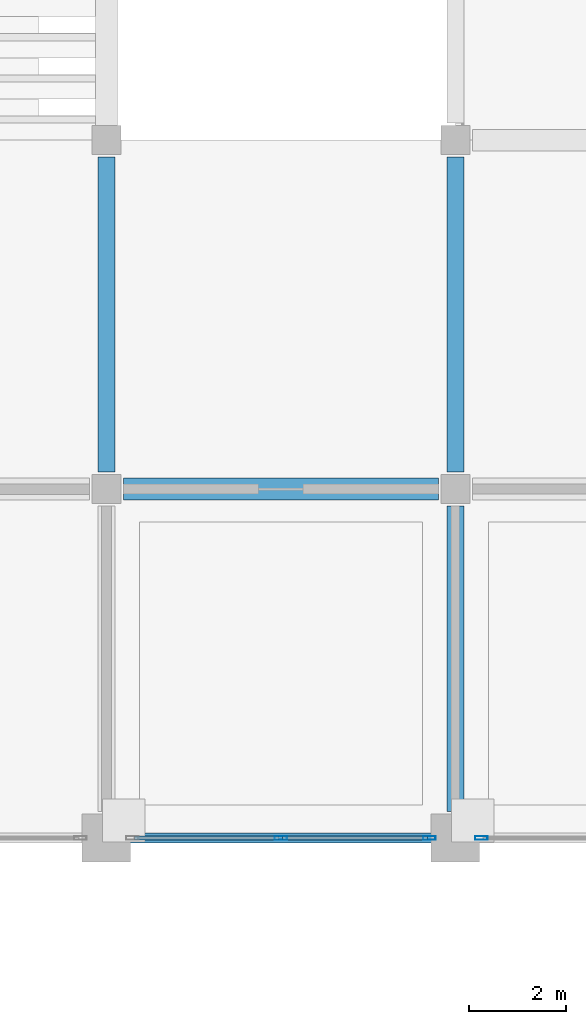
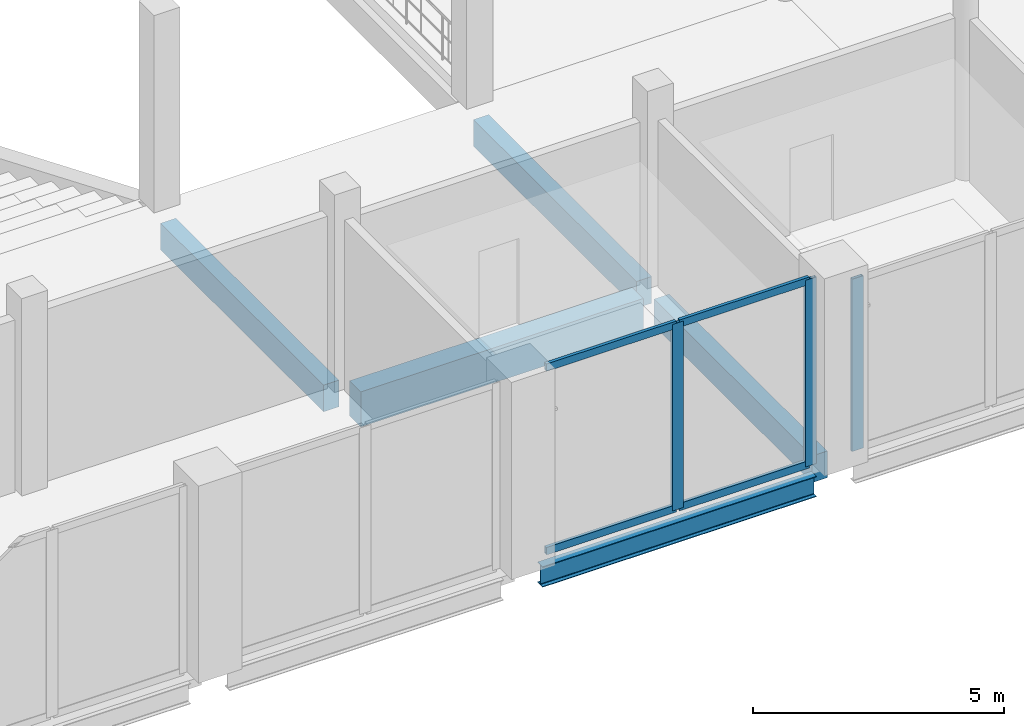
# One storey, part 15 of 99: 7 members, 5 beams, 2 elements without a shape of their own.
"""IFC4 building model written with IfcOpenShell, lengths in metres."""

from ifc_helpers import new_model, si_unit, direction, frame, origin, origin_2d, place, context, subcontext, project, spatial, rectangle, hollow_rectangle, i_section, extrude, material, material_profile, profile_set, type_object, element, aggregate, save


model = new_model("IFC4")

# Units and contexts
model_context = context("Model", 3, precision=1e-05, world=origin(), true_north=direction((0.0, 1.0)))
body_context = subcontext(model_context, "Body", "Model", "MODEL_VIEW")
ifc_project = project(units=[si_unit("LENGTHUNIT", "METRE"), si_unit("AREAUNIT", "SQUARE_METRE"), si_unit("VOLUMEUNIT", "CUBIC_METRE"), si_unit("PLANEANGLEUNIT", "RADIAN"), si_unit("MASSUNIT", "GRAM", prefix="KILO")], contexts=[model_context])

# Site, building, storey
site_placement = place(None, origin())
site = spatial("IfcSite", under=ifc_project, at=site_placement, CompositionType="ELEMENT")
building_placement = place(site_placement, origin())
building = spatial("IfcBuilding", under=site, at=building_placement, Name="Vesperath Aquatics Centre", CompositionType="ELEMENT")
storey_placement = place(building_placement, frame((0.0, 0.0, 5.39990234375)))
storey = spatial("IfcBuildingStorey", under=building, at=storey_placement, Name="L01", CompositionType="ELEMENT", Elevation=5.39990234375)

# Beams
ifc_material_1 = material(Name="Concrete C35", Category="concrete")
ifc_material_profile_1 = material_profile(ifc_material_1, rectangle(XDim=0.449951171875, YDim=0.85009765625, at=origin_2d()), Name="RC 450x850")
ifc_profile_set_1 = profile_set([ifc_material_profile_1], Name="Concrete C35")
beam_type_1 = type_object("IfcBeamType", Name="BM-G03", PredefinedType="BEAM", material=ifc_profile_set_1)
beam_1_placement = place(storey_placement, frame((86.75, 21.60009765625, -0.684814453125), z_axis=(1.0, 0.0, 0.0), x_axis=(0.0, 1.0, 0.0)))
element("IfcBeam", 1, at=beam_1_placement, inside=storey, type_object=beam_type_1, Name="Floor Girder B03 L01 D 13-14", PredefinedType="BEAM", context=body_context, shape_type="SweptSolid", body=[
    extrude(rectangle(XDim=0.449951171875, YDim=0.85009765625, at=origin_2d()), origin(), (0.0, 0.0, 1.0), 6.5),
])
ifc_material_profile_2 = material_profile(ifc_material_1, rectangle(XDim=0.35009765625, YDim=0.64990234375, at=origin_2d()), Name="RC 350x650")
ifc_profile_set_2 = profile_set([ifc_material_profile_2], Name="Concrete C35")
beam_type_2 = type_object("IfcBeamType", Name="BM-G05", PredefinedType="BEAM", material=ifc_profile_set_2)
beam_2_placement = place(storey_placement, frame((86.39990234375, 21.949951171875, -0.5849609375), z_axis=(0.0, 1.0, 0.0), x_axis=(-1.0, 0.0, 0.0)))
element("IfcBeam", 2, at=beam_2_placement, inside=storey, type_object=beam_type_2, Name="Floor Girder B05 L01 13 D-E", PredefinedType="BEAM", context=body_context, shape_type="SweptSolid", body=[
    extrude(rectangle(XDim=0.35009765625, YDim=0.64990234375, at=origin_2d()), origin(), (0.0, 0.0, 1.0), 6.5),
])
beam_3_placement = place(storey_placement, frame((93.60009765625, 14.949951171875, -0.5849609375), z_axis=(0.0, 1.0, 0.0), x_axis=(-1.0, 0.0, 0.0)))
element("IfcBeam", 3, at=beam_3_placement, inside=storey, type_object=beam_type_2, Name="Floor Girder B05 L01 14 C-D", PredefinedType="BEAM", context=body_context, shape_type="SweptSolid", body=[
    extrude(rectangle(XDim=0.35009765625, YDim=0.64990234375, at=origin_2d()), origin(), (0.0, 0.0, 1.0), 6.300048828125),
])
beam_4_placement = place(storey_placement, frame((93.60009765625, 21.949951171875, -0.5849609375), z_axis=(0.0, 1.0, 0.0), x_axis=(-1.0, 0.0, 0.0)))
element("IfcBeam", 4, at=beam_4_placement, inside=storey, type_object=beam_type_2, Name="Floor Girder B05 L01 14 D-E", PredefinedType="BEAM", context=body_context, shape_type="SweptSolid", body=[
    extrude(rectangle(XDim=0.35009765625, YDim=0.64990234375, at=origin_2d()), origin(), (0.0, 0.0, 1.0), 6.5),
])
ifc_material_2 = material(Name="Steel Q355D", Category="steel")
ifc_material_profile_3 = material_profile(ifc_material_2, i_section(OverallWidth=0.199951171875, OverallDepth=0.5, WebThickness=0.010009765625, FlangeThickness=0.01611328125, FilletRadius=0.02001953125, at=origin_2d()), Name="HN 500x200x10x16")
ifc_profile_set_3 = profile_set([ifc_material_profile_3], Name="Steel Q355D")
beam_type_3 = type_object("IfcBeamType", Name="BM-SP01", PredefinedType="SPANDREL", material=ifc_profile_set_3)
beam_5_placement = place(storey_placement, frame((86.85009765625, 14.39990234375, -0.510009765625), z_axis=(1.0, 0.0, 0.0), x_axis=(0.0, 1.0, 0.0)))
element("IfcBeam", 5, at=beam_5_placement, inside=storey, type_object=beam_type_3, Name="Floor Girder SP01 L01 C 13-14", PredefinedType="SPANDREL", context=body_context, shape_type="SweptSolid", body=[
    extrude(i_section(OverallWidth=0.199951171875, OverallDepth=0.5, WebThickness=0.010009765625, FlangeThickness=0.01611328125, FilletRadius=0.02001953125, at=origin_2d()), origin(), (0.0, 0.0, 1.0), 6.2998046875),
])

# Curtain wall, members
ifc_material_3 = material(Name="Thermally broken anodised bronze aluminium curtain wall", Category="aluminium")
curtain_wall_type = type_object("IfcCurtainWallType", Name="CW-02", PredefinedType="NOTDEFINED", material=ifc_material_3)
curtain_wall_1_placement = place(storey_placement, origin())
curtain_wall_1 = element("IfcCurtainWall", 6, at=curtain_wall_1_placement, inside=storey, type_object=curtain_wall_type, Name="Facade Curtain Wall CW02 L01_S_12_02", PredefinedType="NOTDEFINED")
ifc_material_4 = material(Name="Thermally broken anodised aluminium", Category="aluminium")
ifc_material_profile_4 = material_profile(ifc_material_4, hollow_rectangle(XDim=0.074951171875, YDim=0.260009765625, WallThickness=0.006103515625, at=origin_2d()), Name="CWM 75x260x6")
ifc_profile_set_4 = profile_set([ifc_material_profile_4], Name="Thermally broken anodised aluminium")
member_type_1 = type_object("IfcMemberType", Name="MB-CWM1", PredefinedType="MULLION", material=ifc_profile_set_4)
member_1_placement = place(storey_placement, frame((90.0, 14.39990234375, 0.0), z_axis=(0.0, 0.0, 1.0), x_axis=(0.0, 1.0, 0.0)))
member_1 = element("IfcMember", 7, at=member_1_placement, type_object=member_type_1, Name="CW02 mullion 2", PredefinedType="MULLION", context=body_context, shape_type="SweptSolid", body=[
    extrude(hollow_rectangle(XDim=0.074951171875, YDim=0.260009765625, WallThickness=0.006103515625, at=origin_2d()), origin(), (0.0, 0.0, 1.0), 4.5400390625),
])
member_2_placement = place(storey_placement, frame((93.0625, 14.39990234375, 0.0), z_axis=(0.0, 0.0, 1.0), x_axis=(0.0, 1.0, 0.0)))
member_2 = element("IfcMember", 8, at=member_2_placement, type_object=member_type_1, Name="CW02 mullion 3", PredefinedType="MULLION", context=body_context, shape_type="SweptSolid", body=[
    extrude(hollow_rectangle(XDim=0.074951171875, YDim=0.260009765625, WallThickness=0.006103515625, at=origin_2d()), origin(), (0.0, 0.0, 1.0), 4.5400390625),
])

# Curtain wall, member
curtain_wall_2_placement = place(storey_placement, origin())
curtain_wall_2 = element("IfcCurtainWall", 9, at=curtain_wall_2_placement, inside=storey, type_object=curtain_wall_type, Name="Facade Curtain Wall CW02 L01_S_13_02", PredefinedType="NOTDEFINED")
member_3_placement = place(storey_placement, frame((94.137451171875, 14.39990234375, 0.0), z_axis=(0.0, 0.0, 1.0), x_axis=(0.0, 1.0, 0.0)))
member_3 = element("IfcMember", 10, at=member_3_placement, type_object=member_type_1, Name="CW02 mullion 1", PredefinedType="MULLION", context=body_context, shape_type="SweptSolid", body=[
    extrude(hollow_rectangle(XDim=0.074951171875, YDim=0.260009765625, WallThickness=0.006103515625, at=origin_2d()), origin(), (0.0, 0.0, 1.0), 4.190185546875),
])
aggregate(curtain_wall_2, [member_3])

# Member
ifc_material_profile_5 = material_profile(ifc_material_4, hollow_rectangle(XDim=0.074951171875, YDim=0.179931640625, WallThickness=0.0048828125, at=origin_2d()), Name="CWT 75x180x5")
ifc_profile_set_5 = profile_set([ifc_material_profile_5], Name="Thermally broken anodised aluminium")
member_type_2 = type_object("IfcMemberType", Name="MB-CWT1", PredefinedType="USERDEFINED", material=ifc_profile_set_5)
member_4_placement = place(storey_placement, frame((86.97509765625, 14.39990234375, 0.03759765625), z_axis=(1.0, 0.0, 0.0), x_axis=(0.0, 1.0, 0.0)))
member_4 = element("IfcMember", 11, at=member_4_placement, type_object=member_type_2, Name="CW02 transom 1.1", ObjectType="TRANSOM", PredefinedType="USERDEFINED", context=body_context, shape_type="SweptSolid", body=[
    extrude(hollow_rectangle(XDim=0.074951171875, YDim=0.179931640625, WallThickness=0.0048828125, at=origin_2d()), origin(), (0.0, 0.0, 1.0), 2.9873046875),
])

member_5_placement = place(storey_placement, frame((86.97509765625, 14.39990234375, 4.502685546875), z_axis=(1.0, 0.0, 0.0), x_axis=(0.0, 1.0, 0.0)))
member_5 = element("IfcMember", 12, at=member_5_placement, type_object=member_type_2, Name="CW02 transom 1.2", ObjectType="TRANSOM", PredefinedType="USERDEFINED", context=body_context, shape_type="SweptSolid", body=[
    extrude(hollow_rectangle(XDim=0.074951171875, YDim=0.179931640625, WallThickness=0.0048828125, at=origin_2d()), origin(), (0.0, 0.0, 1.0), 2.9873046875),
])

member_6_placement = place(storey_placement, frame((90.03759765625, 14.39990234375, 0.03759765625), z_axis=(1.0, 0.0, 0.0), x_axis=(0.0, 1.0, 0.0)))
member_6 = element("IfcMember", 13, at=member_6_placement, type_object=member_type_2, Name="CW02 transom 2.1", ObjectType="TRANSOM", PredefinedType="USERDEFINED", context=body_context, shape_type="SweptSolid", body=[
    extrude(hollow_rectangle(XDim=0.074951171875, YDim=0.179931640625, WallThickness=0.0048828125, at=origin_2d()), origin(), (0.0, 0.0, 1.0), 2.9873046875),
])

member_7_placement = place(storey_placement, frame((90.03759765625, 14.39990234375, 4.502685546875), z_axis=(1.0, 0.0, 0.0), x_axis=(0.0, 1.0, 0.0)))
member_7 = element("IfcMember", 14, at=member_7_placement, type_object=member_type_2, Name="CW02 transom 2.2", ObjectType="TRANSOM", PredefinedType="USERDEFINED", context=body_context, shape_type="SweptSolid", body=[
    extrude(hollow_rectangle(XDim=0.074951171875, YDim=0.179931640625, WallThickness=0.0048828125, at=origin_2d()), origin(), (0.0, 0.0, 1.0), 2.9873046875),
])

aggregate(curtain_wall_1, [member_1, member_2, member_4, member_5, member_6, member_7])

save(model, "model.ifc")
